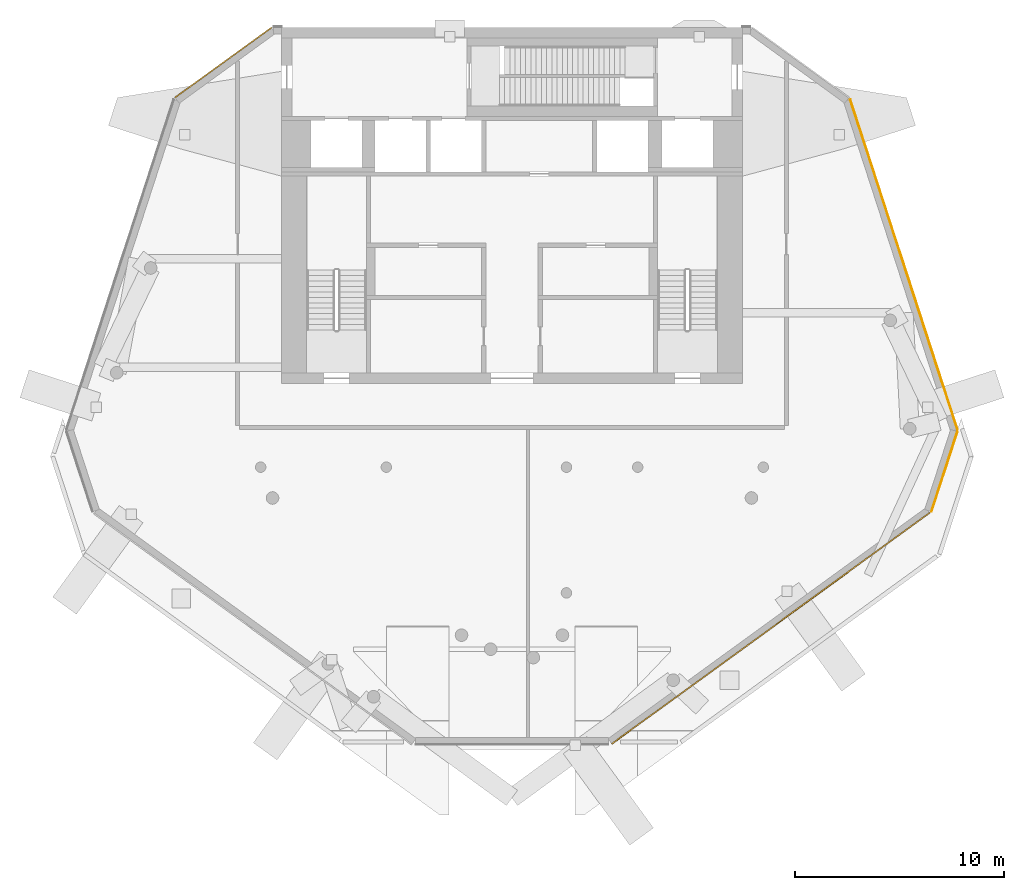
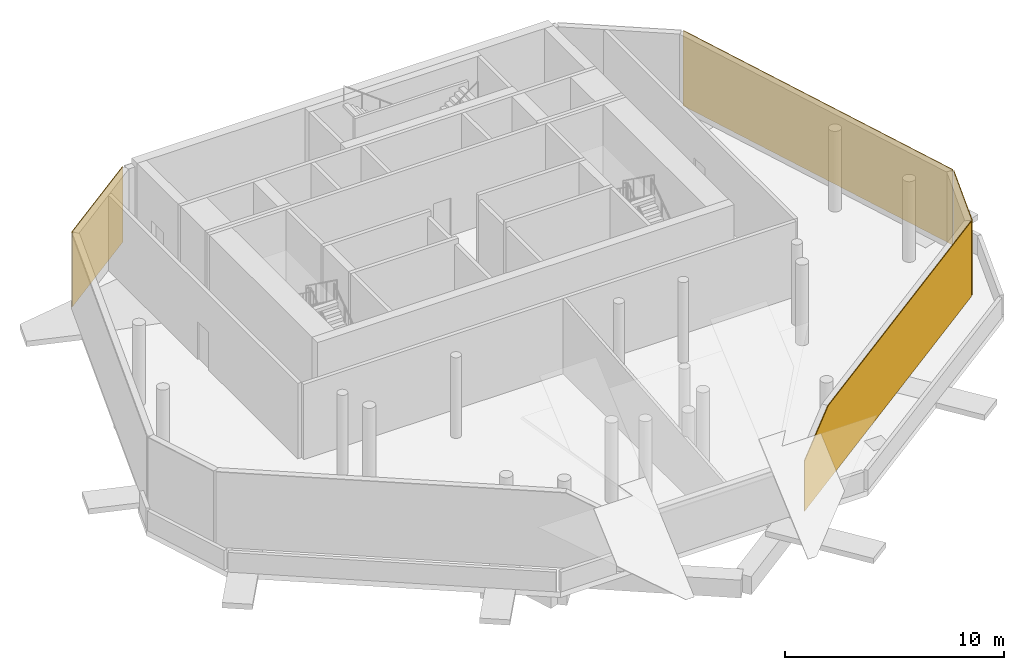
# One storey, part 7 of 8: 4 coverings.
"""IFC4 building model written with IfcOpenShell, lengths in metres."""

from ifc_helpers import new_model, si_unit, direction, frame, origin, place, context, subcontext, project, spatial, polyline, outline, extrude, material, layer, layer_set, type_object, element, save


model = new_model("IFC4")

# Units and contexts
model_context = context("Model", 3, precision=1e-05, world=origin(), true_north=direction((0.0, 1.0)))
body_context = subcontext(model_context, "Body", "Model", "MODEL_VIEW")
ifc_project = project(units=[si_unit("LENGTHUNIT", "METRE"), si_unit("AREAUNIT", "SQUARE_METRE"), si_unit("VOLUMEUNIT", "CUBIC_METRE"), si_unit("PLANEANGLEUNIT", "RADIAN"), si_unit("MASSUNIT", "GRAM", prefix="KILO")], contexts=[model_context])

# Site, building, storey
site_placement = place(None, origin())
site = spatial("IfcSite", under=ifc_project, at=site_placement, CompositionType="ELEMENT")
building_placement = place(site_placement, origin())
building = spatial("IfcBuilding", under=site, at=building_placement, Name="White Candle Pilgrim Tower", CompositionType="ELEMENT")
storey_placement = place(building_placement, frame((0.0, 0.0, 328.699951171875)))
storey = spatial("IfcBuildingStorey", under=building, at=storey_placement, Name="L77", CompositionType="ELEMENT", Elevation=328.699951171875)

# Coverings
ifc_material = material(Name="Zinc standing seam")
ifc_layer = layer(ifc_material, 0.0400390625)
ifc_layer_set = layer_set([ifc_layer], Name="Zinc wall cladding CL3 40")
covering_type = type_object("IfcCoveringType", Name="Zinc wall cladding CL3 40", PredefinedType="CLADDING", material=ifc_layer_set)
covering_1_placement = place(storey_placement, frame((74.7763671875, 53.779541015625, 2.814697265625), z_axis=(0.587789612517, -0.809013826237, 1.9334708e-05), x_axis=(0.717640781197, 0.521413489945, 0.461648872701)))
element("IfcCovering", 1, at=covering_1_placement, inside=storey, type_object=covering_type, Name="Zinc wall cladding L77 SE", PredefinedType="CLADDING", context=body_context, shape_type="SweptSolid", body=[
    extrude(outline(polyline([(0.0, 0.0), (3.000665637432114, -2.220446049250313e-16), (17.274016135582, -7.428196244855613), (15.335113411687878, -11.153816470645666), (-1.299401819669552, -2.496813089759549), (0.0, 0.0)])), origin(), (0.0, 0.0, -1.0), 0.0400390625),
])
covering_2_placement = place(storey_placement, frame((90.00537109375, 64.882080078125, 4.199951171875), z_axis=(-0.951055044102, 0.309021525282, 0.0), x_axis=(0.309021525282, 0.951055044102, 0.0)))
element("IfcCovering", 2, at=covering_2_placement, inside=storey, type_object=covering_type, Name="Zinc wall cladding L77 E chamfer", PredefinedType="CLADDING", context=body_context, shape_type="SweptSolid", body=[
    extrude(outline(polyline([(0.0, 0.0), (4.019744252009861, 0.0), (4.019744252009861, 4.199951171875), (0.0, 4.199951171875), (0.0, 0.0)])), origin(), (0.0, 0.0, -1.0), 0.0400390625),
])
covering_3_placement = place(storey_placement, frame((91.24755859375, 68.803955078125, 4.199951171875), z_axis=(-0.951054870042, -0.309022060976, 0.0), x_axis=(-0.309022060976, 0.951054870042, 0.0)))
element("IfcCovering", 3, at=covering_3_placement, inside=storey, type_object=covering_type, Name="Zinc wall cladding L77 ENE", PredefinedType="CLADDING", context=body_context, shape_type="SweptSolid", body=[
    extrude(outline(polyline([(0.0, 0.0), (16.55850505692616, 0.0), (16.55850505692616, 4.199951171875), (0.0, 4.199951171875), (0.0, 0.0)])), origin(), (0.0, 0.0, -1.0), 0.0400390625),
])
covering_4_placement = place(storey_placement, frame((58.52099609375, 87.969482421875, 4.199951171875), z_axis=(0.5877881323, -0.809014901919, 0.0), x_axis=(-0.809014901919, -0.5877881323, 0.0)))
element("IfcCovering", 4, at=covering_4_placement, inside=storey, type_object=covering_type, Name="Zinc wall cladding L77 NW chamfer", PredefinedType="CLADDING", context=body_context, shape_type="SweptSolid", body=[
    extrude(outline(polyline([(0.0, 0.0), (5.677900182653835, 0.0), (5.677900182653835, 4.199951171875), (0.0, 4.199951171875), (0.0, 0.0)])), origin(), (0.0, 0.0, -1.0), 0.0400390625),
])

save(model, "model.ifc")
